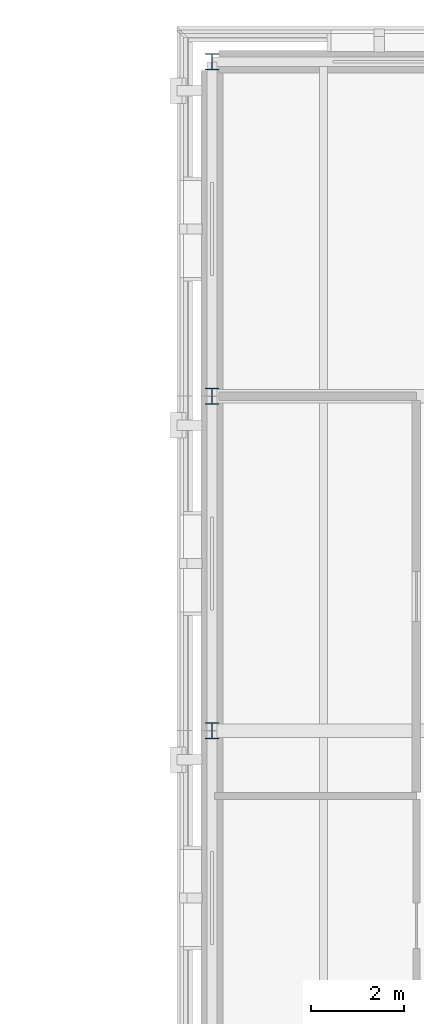
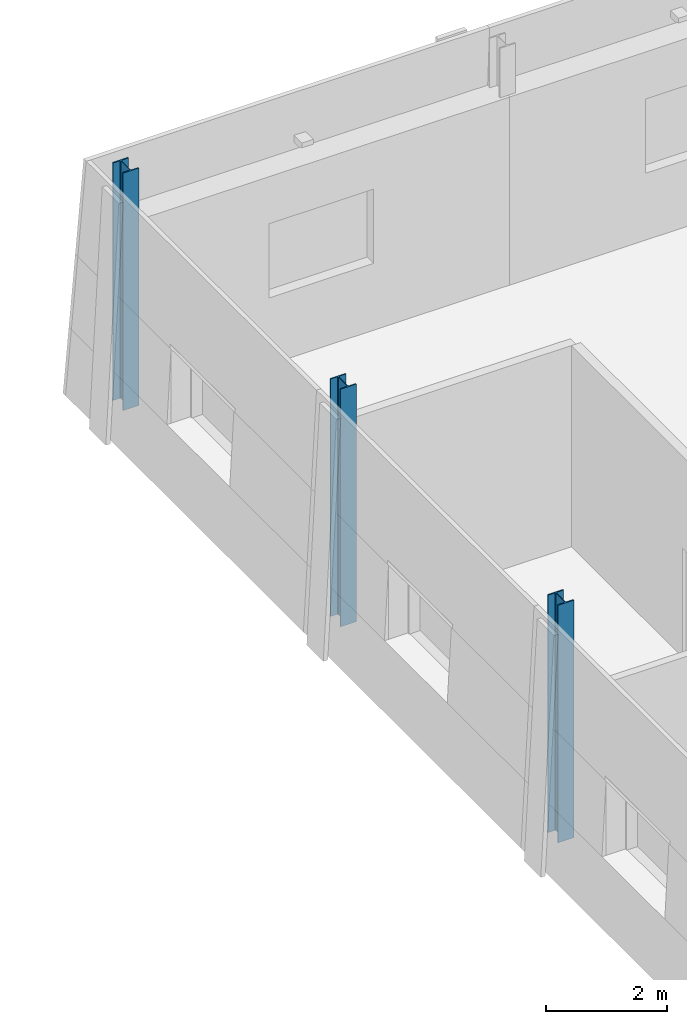
# One storey, part 15 of 121: 3 columns.
"""IFC4 building model written with IfcOpenShell, lengths in metres."""

from ifc_helpers import new_model, si_unit, direction, frame, origin, origin_2d, place, context, subcontext, project, spatial, i_section, extrude, material, material_profile, profile_set, type_object, element, save


model = new_model("IFC4")

# Units and contexts
model_context = context("Model", 3, precision=1e-05, world=origin(), true_north=direction((0.0, 1.0)))
body_context = subcontext(model_context, "Body", "Model", "MODEL_VIEW")
ifc_project = project(units=[si_unit("LENGTHUNIT", "METRE"), si_unit("AREAUNIT", "SQUARE_METRE"), si_unit("VOLUMEUNIT", "CUBIC_METRE"), si_unit("PLANEANGLEUNIT", "RADIAN"), si_unit("MASSUNIT", "GRAM", prefix="KILO")], contexts=[model_context])

# Site, building, storey
site_placement = place(None, origin())
site = spatial("IfcSite", under=ifc_project, at=site_placement, CompositionType="ELEMENT")
building_placement = place(site_placement, origin())
building = spatial("IfcBuilding", under=site, at=building_placement, Name="Narikvali Park Central Library", CompositionType="ELEMENT")
storey_placement = place(building_placement, frame((0.0, 0.0, 5.39990234375)))
storey = spatial("IfcBuildingStorey", under=building, at=storey_placement, Name="L01", CompositionType="ELEMENT", Elevation=5.39990234375)

# Columns
ifc_material = material(Name="Steel S355", Category="steel")
ifc_material_profile = material_profile(ifc_material, i_section(OverallWidth=0.300048828125, OverallDepth=0.360107421875, WebThickness=0.012451171875, FlangeThickness=0.0224609375, FilletRadius=0.027099609375, at=origin_2d()), Name="HEB 360")
ifc_profile_set = profile_set([ifc_material_profile], Name="Steel S355")
column_type = type_object("IfcColumnType", Name="Steel Column HEB360", PredefinedType="COLUMN", material=ifc_profile_set)
for number, where, z_axis, x_axis, name in (
    (1, (122.39990234375, 100.800048828125, 0.0), (0.0, 0.0, 1.0), (1.0, 0.0, 0.0), "V3 L01 Column (122.4,100.8)"),
    (2, (122.39990234375, 108.0, 0.0), (0.0, 0.0, 1.0), (1.0, 0.0, 0.0), "V3 L01 Column (122.4,108.0)"),
    (3, (122.39990234375, 115.199951171875, 0.0), (0.0, 0.0, 1.0), (1.0, 0.0, 0.0), "V3 L01 Column (122.4,115.2)"),
):
    element("IfcColumn", number, at=place(storey_placement, frame(where, z_axis=z_axis, x_axis=x_axis)), inside=storey, type_object=column_type, Name=name, PredefinedType="COLUMN", context=body_context, shape_type="SweptSolid", body=[
        extrude(i_section(OverallWidth=0.300048828125, OverallDepth=0.360107421875, WebThickness=0.012451171875, FlangeThickness=0.0224609375, FilletRadius=0.027099609375, at=origin_2d()), origin(), (0.0, 0.0, 1.0), 4.800048828125),
    ])

save(model, "model.ifc")
